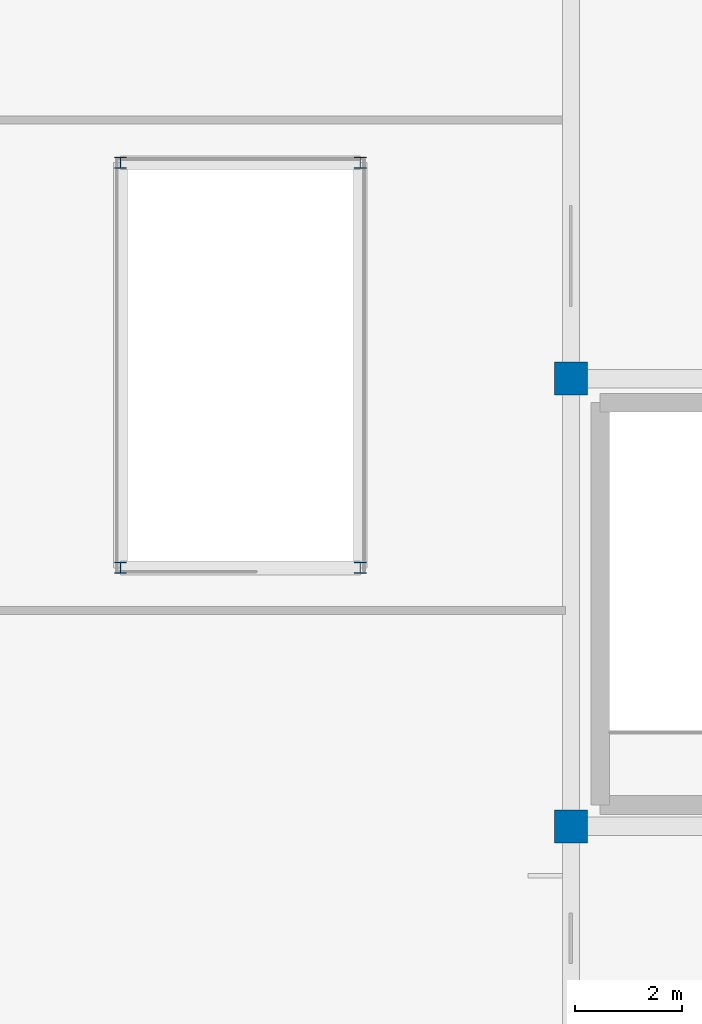
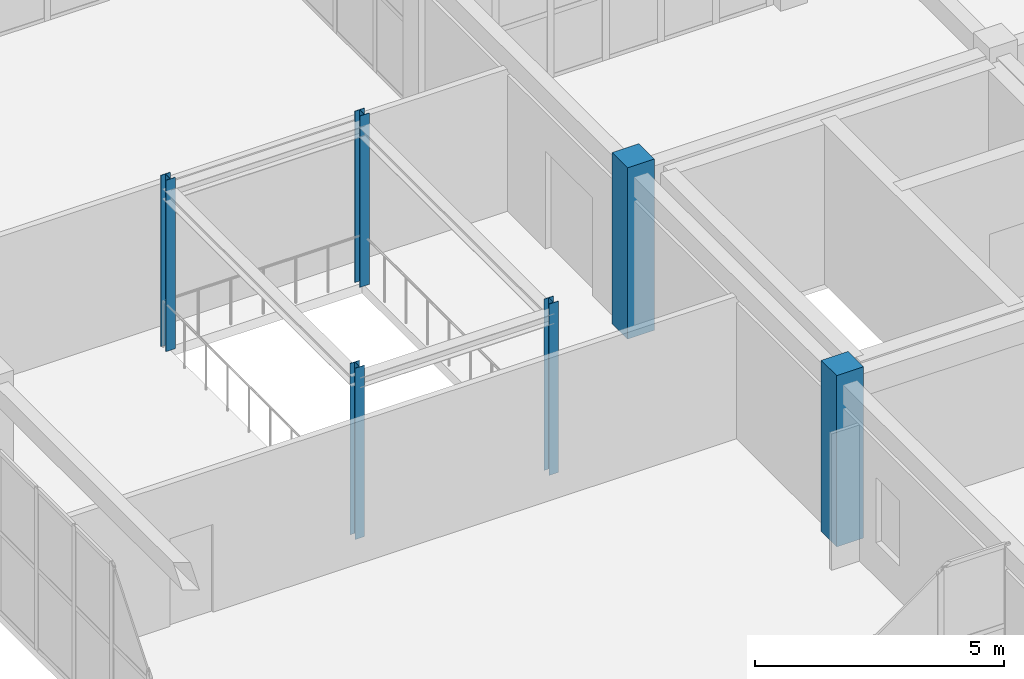
# One storey, part 2 of 81: 6 columns.
"""IFC4 building model written with IfcOpenShell, lengths in metres."""

from ifc_helpers import new_model, si_unit, direction, frame, origin, origin_2d, place, context, subcontext, project, spatial, rectangle, i_section, extrude, material, material_profile, profile_set, type_object, element, save


model = new_model("IFC4")

# Units and contexts
model_context = context("Model", 3, precision=1e-05, world=origin(), true_north=direction((0.0, 1.0)))
body_context = subcontext(model_context, "Body", "Model", "MODEL_VIEW")
ifc_project = project(units=[si_unit("LENGTHUNIT", "METRE"), si_unit("AREAUNIT", "SQUARE_METRE"), si_unit("VOLUMEUNIT", "CUBIC_METRE"), si_unit("PLANEANGLEUNIT", "RADIAN"), si_unit("MASSUNIT", "GRAM", prefix="KILO")], contexts=[model_context])

# Site, building, storey
site_placement = place(None, origin())
site = spatial("IfcSite", under=ifc_project, at=site_placement, CompositionType="ELEMENT")
building_placement = place(site_placement, origin())
building = spatial("IfcBuilding", under=site, at=building_placement, Name="Trelvath General Hospital", CompositionType="ELEMENT")
storey_placement = place(building_placement, frame((0.0, 0.0, 24.60009765625)))
storey = spatial("IfcBuildingStorey", under=building, at=storey_placement, Name="L06", CompositionType="ELEMENT", Elevation=24.60009765625)

# Columns
ifc_material_1 = material(Name="Concrete C40/50", Category="concrete")
ifc_material_profile_1 = material_profile(ifc_material_1, rectangle(XDim=0.6201171875, YDim=0.6201171875, at=origin_2d()), Name="RC620x620")
ifc_profile_set_1 = profile_set([ifc_material_profile_1], Name="Concrete C40/50")
column_type_1 = type_object("IfcColumnType", Name="Column RC620", PredefinedType="COLUMN", material=ifc_profile_set_1)
for number, where, z_axis, x_axis, name in (
    (1, (75.60009765625, 50.39990234375, 0.0), (0.0, 0.0, 1.0), (1.0, 0.0, 0.0), "Column C-10G L06"),
    (2, (75.60009765625, 58.800048828125, 0.0), (0.0, 0.0, 1.0), (1.0, 0.0, 0.0), "Column C-10H L06"),
):
    element("IfcColumn", number, at=place(storey_placement, frame(where, z_axis=z_axis, x_axis=x_axis)), inside=storey, type_object=column_type_1, Name=name, PredefinedType="COLUMN", context=body_context, shape_type="SweptSolid", body=[
        extrude(rectangle(XDim=0.6201171875, YDim=0.6201171875, at=origin_2d()), origin(), (0.0, 0.0, 1.0), 4.199951171875),
    ])
ifc_material_2 = material(Name="Steel S355", Category="steel")
ifc_material_profile_2 = material_profile(ifc_material_2, i_section(OverallWidth=0.219970703125, OverallDepth=0.2099609375, WebThickness=0.007080078125, FlangeThickness=0.010986328125, at=origin_2d()), Name="HEA220")
ifc_profile_set_2 = profile_set([ifc_material_profile_2], Name="Steel S355")
column_type_2 = type_object("IfcColumnType", Name="StairPost HEA220", PredefinedType="COLUMN", material=ifc_profile_set_2)
for number, where, z_axis, x_axis, name in (
    (3, (67.14990234375, 55.25, 0.0), (0.0, 0.0, 1.0), (1.0, 0.0, 0.0), "Atrium Stair Post CUBE-W 1 L06"),
    (4, (71.64990234375, 55.25, 0.0), (0.0, 0.0, 1.0), (1.0, 0.0, 0.0), "Atrium Stair Post CUBE-W 2 L06"),
    (5, (67.14990234375, 62.85009765625, 0.0), (0.0, 0.0, 1.0), (1.0, 0.0, 0.0), "Atrium Stair Post CUBE-W 3 L06"),
    (6, (71.64990234375, 62.85009765625, 0.0), (0.0, 0.0, 1.0), (1.0, 0.0, 0.0), "Atrium Stair Post CUBE-W 4 L06"),
):
    element("IfcColumn", number, at=place(storey_placement, frame(where, z_axis=z_axis, x_axis=x_axis)), inside=storey, type_object=column_type_2, Name=name, PredefinedType="COLUMN", context=body_context, shape_type="SweptSolid", body=[
        extrude(i_section(OverallWidth=0.219970703125, OverallDepth=0.2099609375, WebThickness=0.007080078125, FlangeThickness=0.010986328125, at=origin_2d()), origin(), (0.0, 0.0, 1.0), 4.199951171875),
    ])

save(model, "model.ifc")
